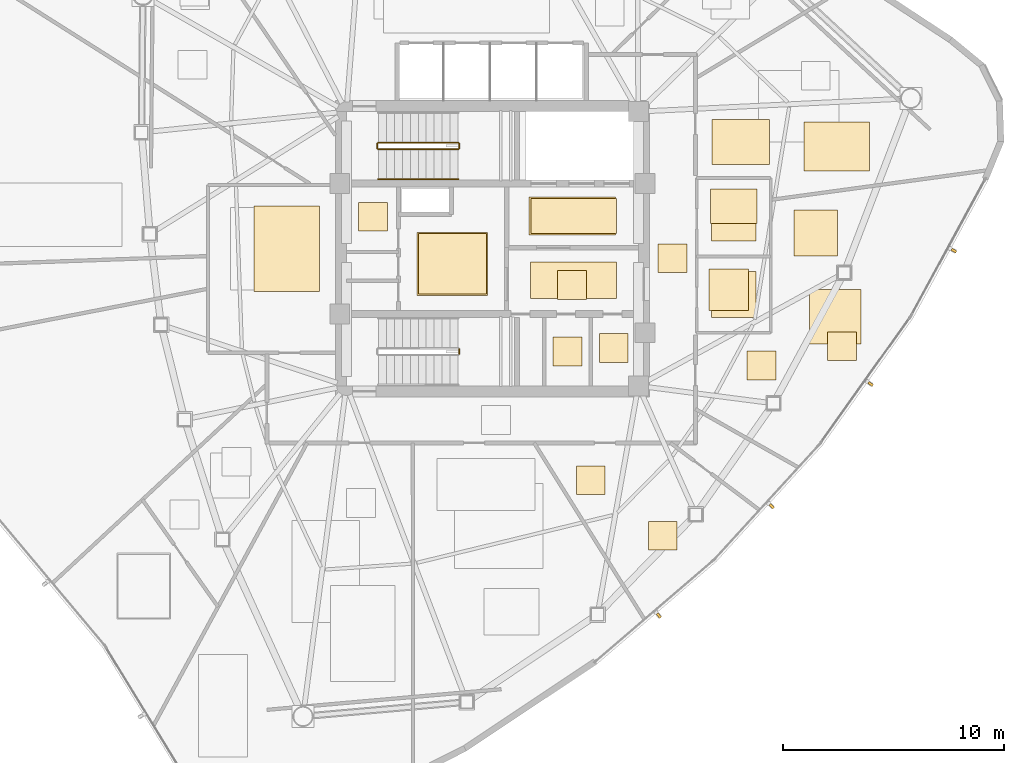
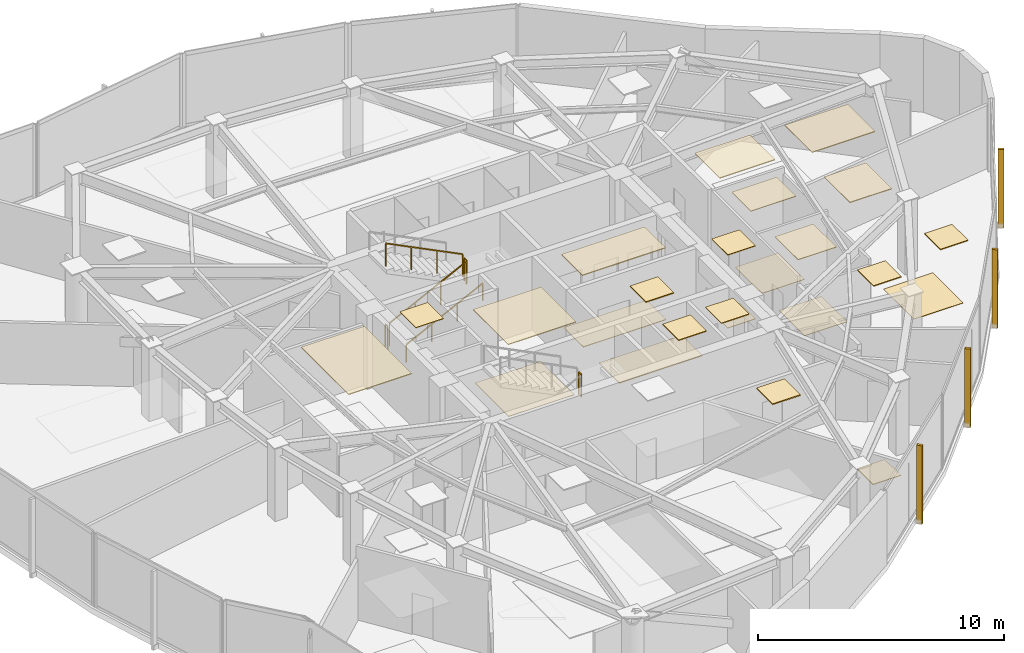
# One storey, part 12 of 13: 24 coverings, 6 railings, 4 shading devices.
"""IFC4 building model written with IfcOpenShell, lengths in metres."""

from ifc_helpers import new_model, si_unit, direction, frame, origin, origin_2d, place, context, subcontext, project, spatial, polyline, rectangle, outline, extrude, source, transform, mapped, material, layer, layer_set, type_object, type_shapes, element, save


model = new_model("IFC4")

# Units and contexts
model_context = context("Model", 3, precision=1e-05, world=origin(), true_north=direction((0.0, 1.0)))
body_context = subcontext(model_context, "Body", "Model", "MODEL_VIEW")
ifc_project = project(units=[si_unit("LENGTHUNIT", "METRE"), si_unit("AREAUNIT", "SQUARE_METRE"), si_unit("VOLUMEUNIT", "CUBIC_METRE"), si_unit("PLANEANGLEUNIT", "RADIAN"), si_unit("MASSUNIT", "GRAM", prefix="KILO")], contexts=[model_context])

# Site, building, storey
site_placement = place(None, origin())
site = spatial("IfcSite", under=ifc_project, at=site_placement, CompositionType="ELEMENT")
building_placement = place(site_placement, origin())
building = spatial("IfcBuilding", under=site, at=building_placement, Name="Tavelor Broadcast Tower", CompositionType="ELEMENT")
storey_placement = place(building_placement, frame((0.0, 0.0, 226.10009765625)))
storey = spatial("IfcBuildingStorey", under=building, at=storey_placement, Name="L53", CompositionType="ELEMENT", Elevation=226.10009765625)

# Coverings
ifc_material_1 = material(Name="Copper-Bronze Anodized Aluminium", Category="aluminium")
ifc_layer_1 = layer(ifc_material_1, 0.044921875)
ifc_layer_set_1 = layer_set([ifc_layer_1], Name="Copper-Bronze Anodized Aluminium")
covering_type_1 = type_object("IfcCoveringType", Name="Anodised Bronze Linear Slatted Concourse Ceiling 45 mm", PredefinedType="CEILING", material=ifc_layer_set_1)
covering_1_placement = place(storey_placement, frame((0.0, 0.0, 3.60498046875)))
element("IfcCovering", 1, at=covering_1_placement, inside=storey, type_object=covering_type_1, Name="L53 Suspended Acoustic Ceiling 2097", PredefinedType="CEILING", context=body_context, shape_type="SweptSolid", body=[
    extrude(outline(polyline([(51.659912109375, 45.6318359375), (55.55712890625, 45.6318359375), (55.55712890625, 47.328125), (51.659912109375, 47.328125), (51.659912109375, 45.6318359375)])), origin(), (0.0, 0.0, 1.0), 0.044921875),
])
covering_2_placement = place(storey_placement, frame((0.0, 0.0, 3.60498046875)))
element("IfcCovering", 2, at=covering_2_placement, inside=storey, type_object=covering_type_1, Name="L53 Suspended Acoustic Ceiling 2098", PredefinedType="CEILING", context=body_context, shape_type="SweptSolid", body=[
    extrude(outline(polyline([(52.95361328125, 42.705078125), (54.25341796875, 42.705078125), (54.25341796875, 44.0048828125), (52.95361328125, 44.0048828125), (52.95361328125, 42.705078125)])), origin(), (0.0, 0.0, 1.0), 0.044921875),
])

# Railing
ifc_material_2 = material(Name="Steel S355", Category="steel")
railing_type_1 = type_object("IfcRailingType", Name="Continuous Brushed Stainless Handrail 900 mm", PredefinedType="HANDRAIL", material=ifc_material_2)
railing_1_placement = place(storey_placement, frame((44.85009765625, 48.14990234375, 0.179443359375)))
element("IfcRailing", 3, at=railing_1_placement, inside=storey, type_object=railing_type_1, Name="L53 ST1 stair handrail 1", PredefinedType="HANDRAIL", context=body_context, shape_type="SweptSolid", body=[
    extrude(rectangle(XDim=0.048095703125, YDim=0.048095703125, at=origin_2d()), frame((0.0, 0.0, 0.8759765625), z_axis=(0.894875846893, 0.0, 0.446315156192), x_axis=(0.0, 1.0, 0.0)), (0.0, 0.0, 1.0), 4.022705078125),
    extrude(rectangle(XDim=0.0419921875, YDim=0.0419921875, at=origin_2d()), origin(), (0.0, 0.0, 1.0), 0.851806640625),
    extrude(rectangle(XDim=0.0419921875, YDim=0.0419921875, at=origin_2d()), frame((1.199951171875, 0.0, 0.598388671875)), (0.0, 0.0, 1.0), 0.851806640625),
    extrude(rectangle(XDim=0.0419921875, YDim=0.0419921875, at=origin_2d()), frame((2.39990234375, 0.0, 1.197021484375)), (0.0, 0.0, 1.0), 0.851806640625),
    extrude(rectangle(XDim=0.0419921875, YDim=0.0419921875, at=origin_2d()), frame((3.599853515625, 0.0, 1.79541015625)), (0.0, 0.0, 1.0), 0.851806640625),
])

# Coverings
ifc_material_3 = material(Name="Architectural Anodized Aluminium", Category="aluminium")
ifc_layer_2 = layer(ifc_material_3, 0.034912109375)
ifc_layer_set_2 = layer_set([ifc_layer_2], Name="Architectural Anodized Aluminium")
covering_type_2 = type_object("IfcCoveringType", Name="Demountable Metal Tile Corridor Ceiling 35 mm", PredefinedType="CEILING", material=ifc_layer_set_2)
covering_3_placement = place(storey_placement, frame((0.0, 0.0, 3.614990234375)))
element("IfcCovering", 4, at=covering_3_placement, inside=storey, type_object=covering_type_2, Name="L53 Suspended Acoustic Ceiling 2103", PredefinedType="CEILING", context=body_context, shape_type="SweptSolid", body=[
    extrude(outline(polyline([(57.489990234375, 43.925048828125), (58.7900390625, 43.925048828125), (58.7900390625, 45.22509765625), (57.489990234375, 45.22509765625), (57.489990234375, 43.925048828125)])), origin(), (0.0, 0.0, 1.0), 0.034912109375),
])
ifc_material_4 = material(Name="Acoustic Nylon Carpet Tile")
ifc_layer_3 = layer(ifc_material_4, 0.02001953125)
ifc_layer_set_3 = layer_set([ifc_layer_3], Name="Acoustic Nylon Carpet Tile")
covering_type_3 = type_object("IfcCoveringType", Name="Heavy-Duty Acoustic Broadcast Carpet Tile 20 mm", PredefinedType="FLOORING", material=ifc_layer_set_3)
covering_4_placement = place(storey_placement, origin())
element("IfcCovering", 5, at=covering_4_placement, inside=storey, type_object=covering_type_3, Name="L53 Broadcast Floor Finish 0771", PredefinedType="FLOORING", context=body_context, shape_type="SweptSolid", body=[
    extrude(outline(polyline([(46.6591796875, 42.953369140625), (49.730712890625, 42.953369140625), (49.730712890625, 45.6865234375), (46.6591796875, 45.6865234375), (46.6591796875, 42.953369140625)])), origin(), (0.0, 0.0, 1.0), 0.02001953125),
])
covering_5_placement = place(storey_placement, origin())
element("IfcCovering", 6, at=covering_5_placement, inside=storey, type_object=covering_type_3, Name="L53 Broadcast Floor Finish 0772", PredefinedType="FLOORING", context=body_context, shape_type="SweptSolid", body=[
    extrude(outline(polyline([(57.489990234375, 43.925048828125), (58.7900390625, 43.925048828125), (58.7900390625, 45.22509765625), (57.489990234375, 45.22509765625), (57.489990234375, 43.925048828125)])), origin(), (0.0, 0.0, 1.0), 0.02001953125),
])
covering_6_placement = place(storey_placement, origin())
element("IfcCovering", 7, at=covering_6_placement, inside=storey, type_object=covering_type_3, Name="L53 Broadcast Floor Finish 0784", PredefinedType="FLOORING", context=body_context, shape_type="SweptSolid", body=[
    extrude(outline(polyline([(64.34228515625, 40.69140625), (66.66162109375, 40.69140625), (66.66162109375, 43.15380859375), (64.34228515625, 43.15380859375), (64.34228515625, 40.69140625)])), origin(), (0.0, 0.0, 1.0), 0.02001953125),
])
ifc_material_5 = material(Name="Honed Natural Limestone Tile", Category="masonry")
ifc_layer_4 = layer(ifc_material_5, 0.030029296875)
ifc_layer_set_4 = layer_set([ifc_layer_4], Name="Honed Natural Limestone Tile")
covering_type_4 = type_object("IfcCoveringType", Name="Honed Jerusalem Limestone Concourse Flooring 30 mm", PredefinedType="FLOORING", material=ifc_layer_set_4)
covering_7_placement = place(storey_placement, origin())
element("IfcCovering", 8, at=covering_7_placement, inside=storey, type_object=covering_type_4, Name="L53 Broadcast Floor Finish 0769", PredefinedType="FLOORING", context=body_context, shape_type="SweptSolid", body=[
    extrude(outline(polyline([(51.7373046875, 45.689453125), (55.62255859375, 45.689453125), (55.62255859375, 47.2705078125), (51.7373046875, 47.2705078125), (51.7373046875, 45.689453125)])), origin(), (0.0, 0.0, 1.0), 0.02978515625),
])
covering_8_placement = place(storey_placement, origin())
element("IfcCovering", 9, at=covering_8_placement, inside=storey, type_object=covering_type_4, Name="L53 Broadcast Floor Finish 0770", PredefinedType="FLOORING", context=body_context, shape_type="SweptSolid", body=[
    extrude(outline(polyline([(51.728759765625, 42.743408203125), (55.62109375, 42.743408203125), (55.62109375, 44.396484375), (51.728759765625, 44.396484375), (51.728759765625, 42.743408203125)])), origin(), (0.0, 0.0, 1.0), 0.02978515625),
])
ifc_material_6 = material(Name="Acoustic Hardwood Studio Flooring", Category="wood")
ifc_layer_5 = layer(ifc_material_6, 0.034912109375)
ifc_layer_set_5 = layer_set([ifc_layer_5], Name="Acoustic Hardwood Studio Flooring")
covering_type_5 = type_object("IfcCoveringType", Name="Isolated Studio Acoustic Elastomeric Floor Finish 35 mm", PredefinedType="FLOORING", material=ifc_layer_set_5)
covering_9_placement = place(storey_placement, origin())
element("IfcCovering", 10, at=covering_9_placement, inside=storey, type_object=covering_type_5, Name="L53 Broadcast Floor Finish 0776", PredefinedType="FLOORING", context=body_context, shape_type="SweptSolid", body=[
    extrude(outline(polyline([(57.051025390625, 31.37255859375), (58.35107421875, 31.37255859375), (58.35107421875, 32.672607421875), (57.051025390625, 32.672607421875), (57.051025390625, 31.37255859375)])), origin(), (0.0, 0.0, 1.0), 0.034912109375),
])
ifc_material_7 = material(Name="Acoustic Perforated Timber Baffle", Category="wood")
ifc_layer_6 = layer(ifc_material_7, 0.054931640625)
ifc_layer_set_6 = layer_set([ifc_layer_6], Name="Acoustic Perforated Timber Baffle")
covering_type_6 = type_object("IfcCoveringType", Name="Micro-Perforated Acoustic Baffle Studio Ceiling 55 mm", PredefinedType="CEILING", material=ifc_layer_set_6)
covering_10_placement = place(storey_placement, frame((0.0, 0.0, 3.594970703125)))
element("IfcCovering", 11, at=covering_10_placement, inside=storey, type_object=covering_type_6, Name="L53 Suspended Acoustic Ceiling 2108", PredefinedType="CEILING", context=body_context, shape_type="SweptSolid", body=[
    extrude(outline(polyline([(53.7958984375, 33.87744140625), (55.095947265625, 33.87744140625), (55.095947265625, 35.177490234375), (53.7958984375, 35.177490234375), (53.7958984375, 33.87744140625)])), origin(), (0.0, 0.0, 1.0), 0.054931640625),
])
ifc_layer_7 = layer(ifc_material_3, 0.030029296875)
ifc_layer_set_7 = layer_set([ifc_layer_7], Name="Architectural Anodized Aluminium")
covering_type_7 = type_object("IfcCoveringType", Name="Moisture-Resistant Washroom Ceiling 30 mm", PredefinedType="CEILING", material=ifc_layer_set_7)
covering_11_placement = place(storey_placement, frame((0.0, 0.0, 3.619873046875)))
element("IfcCovering", 12, at=covering_11_placement, inside=storey, type_object=covering_type_7, Name="L53 Suspended Acoustic Ceiling 2101", PredefinedType="CEILING", context=body_context, shape_type="SweptSolid", body=[
    extrude(outline(polyline([(54.843505859375, 39.866455078125), (56.1435546875, 39.866455078125), (56.1435546875, 41.16650390625), (54.843505859375, 41.16650390625), (54.843505859375, 39.866455078125)])), origin(), (0.0, 0.0, 1.0), 0.030029296875),
])
covering_12_placement = place(storey_placement, frame((0.0, 0.0, 3.619873046875)))
element("IfcCovering", 13, at=covering_12_placement, inside=storey, type_object=covering_type_7, Name="L53 Suspended Acoustic Ceiling 2102", PredefinedType="CEILING", context=body_context, shape_type="SweptSolid", body=[
    extrude(outline(polyline([(43.951416015625, 45.794921875), (45.25146484375, 45.794921875), (45.25146484375, 47.094970703125), (43.951416015625, 47.094970703125), (43.951416015625, 45.794921875)])), origin(), (0.0, 0.0, 1.0), 0.030029296875),
])
covering_13_placement = place(storey_placement, frame((0.0, 0.0, 3.619873046875)))
element("IfcCovering", 14, at=covering_13_placement, inside=storey, type_object=covering_type_7, Name="L53 Suspended Acoustic Ceiling 2106", PredefinedType="CEILING", context=body_context, shape_type="SweptSolid", body=[
    extrude(outline(polyline([(59.79150390625, 42.2001953125), (61.589599609375, 42.2001953125), (61.589599609375, 44.08203125), (59.79150390625, 44.08203125), (59.79150390625, 42.2001953125)])), origin(), (0.0, 0.0, 1.0), 0.030029296875),
])
covering_14_placement = place(storey_placement, frame((0.0, 0.0, 3.619873046875)))
element("IfcCovering", 15, at=covering_14_placement, inside=storey, type_object=covering_type_7, Name="L53 Suspended Acoustic Ceiling 2107", PredefinedType="CEILING", context=body_context, shape_type="SweptSolid", body=[
    extrude(outline(polyline([(59.85302734375, 46.13623046875), (61.967041015625, 46.13623046875), (61.967041015625, 47.69482421875), (59.85302734375, 47.69482421875), (59.85302734375, 46.13623046875)])), origin(), (0.0, 0.0, 1.0), 0.030029296875),
])
ifc_material_8 = material(Name="Slip-Resistant Porcelain Tile")
ifc_layer_8 = layer(ifc_material_8, 0.02490234375)
ifc_layer_set_8 = layer_set([ifc_layer_8], Name="Slip-Resistant Porcelain Tile")
covering_type_8 = type_object("IfcCoveringType", Name="Slip-Resistant Porcelain Wet-Area Floor Tile 25 mm", PredefinedType="FLOORING", material=ifc_layer_set_8)
covering_15_placement = place(storey_placement, origin())
element("IfcCovering", 16, at=covering_15_placement, inside=storey, type_object=covering_type_8, Name="L53 Broadcast Floor Finish 0774", PredefinedType="FLOORING", context=body_context, shape_type="SweptSolid", body=[
    extrude(outline(polyline([(59.91064453125, 41.885986328125), (61.909423828125, 41.885986328125), (61.909423828125, 43.964111328125), (59.91064453125, 43.964111328125), (59.91064453125, 41.885986328125)])), origin(), (0.0, 0.0, 1.0), 0.02490234375),
])
covering_16_placement = place(storey_placement, origin())
element("IfcCovering", 17, at=covering_16_placement, inside=storey, type_object=covering_type_8, Name="L53 Broadcast Floor Finish 0775", PredefinedType="FLOORING", context=body_context, shape_type="SweptSolid", body=[
    extrude(outline(polyline([(59.91064453125, 45.35009765625), (61.909423828125, 45.35009765625), (61.909423828125, 47.5), (59.91064453125, 47.5), (59.91064453125, 45.35009765625)])), origin(), (0.0, 0.0, 1.0), 0.02490234375),
])

# Railings
railing_type_2 = type_object("IfcRailingType", Name="Stairwell Steel Safety Guardrail 1150 mm", PredefinedType="GUARDRAIL", material=ifc_material_2)
railing_2_placement = place(storey_placement, frame((44.85009765625, 49.5, 0.179443359375)))
element("IfcRailing", 18, at=railing_2_placement, inside=storey, type_object=railing_type_2, Name="L53 ST1 stair guard 1", PredefinedType="GUARDRAIL", context=body_context, shape_type="SweptSolid", body=[
    extrude(rectangle(XDim=0.048095703125, YDim=0.048095703125, at=origin_2d()), frame((0.0, 0.0, 1.1259765625), z_axis=(0.894875846893, 0.0, 0.446315156192), x_axis=(0.0, 1.0, 0.0)), (0.0, 0.0, 1.0), 4.022705078125),
    extrude(rectangle(XDim=0.0419921875, YDim=0.0419921875, at=origin_2d()), origin(), (0.0, 0.0, 1.0), 1.101806640625),
    extrude(rectangle(XDim=0.0419921875, YDim=0.0419921875, at=origin_2d()), frame((1.199951171875, 0.0, 0.598388671875)), (0.0, 0.0, 1.0), 1.101806640625),
    extrude(rectangle(XDim=0.0419921875, YDim=0.0419921875, at=origin_2d()), frame((2.39990234375, 0.0, 1.197021484375)), (0.0, 0.0, 1.0), 1.101806640625),
    extrude(rectangle(XDim=0.0419921875, YDim=0.0419921875, at=origin_2d()), frame((3.599853515625, 0.0, 1.79541015625)), (0.0, 0.0, 1.0), 1.101806640625),
])
railing_3_placement = place(storey_placement, frame((48.5, 49.550048828125, 1.974853515625)))
element("IfcRailing", 19, at=railing_3_placement, inside=storey, type_object=railing_type_2, Name="L53 ST1 stair guard 2", PredefinedType="GUARDRAIL", context=body_context, shape_type="SweptSolid", body=[
    extrude(rectangle(XDim=0.048095703125, YDim=0.048095703125, at=origin_2d()), frame((0.0, 0.0, 1.1259765625), z_axis=(0.0, 1.0, 0.0), x_axis=(-1.0, 0.0, 0.0)), (0.0, 0.0, 1.0), 0.199951171875),
    extrude(rectangle(XDim=0.0419921875, YDim=0.0419921875, at=origin_2d()), origin(), (0.0, 0.0, 1.0), 1.101806640625),
    extrude(rectangle(XDim=0.0419921875, YDim=0.0419921875, at=origin_2d()), frame((0.0, 0.199951171875, 0.0)), (0.0, 0.0, 1.0), 1.101806640625),
])
railing_4_placement = place(storey_placement, frame((48.449951171875, 49.800048828125, 2.154541015625)))
element("IfcRailing", 20, at=railing_4_placement, inside=storey, type_object=railing_type_2, Name="L53 ST1 stair guard 3", PredefinedType="GUARDRAIL", context=body_context, shape_type="SweptSolid", body=[
    extrude(rectangle(XDim=0.048095703125, YDim=0.048095703125, at=origin_2d()), frame((0.0, 0.0, 1.1259765625), z_axis=(-0.894875846893, 0.0, 0.446315156192), x_axis=(0.0, -1.0, 0.0)), (0.0, 0.0, 1.0), 4.022705078125),
    extrude(rectangle(XDim=0.0419921875, YDim=0.0419921875, at=origin_2d()), origin(), (0.0, 0.0, 1.0), 1.101806640625),
    extrude(rectangle(XDim=0.0419921875, YDim=0.0419921875, at=origin_2d()), frame((-1.199951171875, 0.0, 0.598388671875)), (0.0, 0.0, 1.0), 1.101806640625),
    extrude(rectangle(XDim=0.0419921875, YDim=0.0419921875, at=origin_2d()), frame((-2.39990234375, 0.0, 1.197021484375)), (0.0, 0.0, 1.0), 1.101806640625),
    extrude(rectangle(XDim=0.0419921875, YDim=0.0419921875, at=origin_2d()), frame((-3.599853515625, 0.0, 1.79541015625)), (0.0, 0.0, 1.0), 1.101806640625),
])
for number, where, name in (
    (21, (44.800048828125, 49.550048828125, 0.0), "L53 ST1 stair guard 4"),
    (22, (48.5, 40.25, 1.974853515625), "L53 ST2 stair guard 2"),
):
    element("IfcRailing", number, at=place(storey_placement, frame(where)), inside=storey, type_object=railing_type_2, Name=name, PredefinedType="GUARDRAIL", context=body_context, shape_type="SweptSolid", body=[
        extrude(rectangle(XDim=0.048095703125, YDim=0.048095703125, at=origin_2d()), frame((0.0, 0.0, 1.1259765625), z_axis=(0.0, 1.0, 0.0), x_axis=(-1.0, 0.0, 0.0)), (0.0, 0.0, 1.0), 0.199951171875),
        extrude(rectangle(XDim=0.0419921875, YDim=0.0419921875, at=origin_2d()), origin(), (0.0, 0.0, 1.0), 1.101806640625),
        extrude(rectangle(XDim=0.0419921875, YDim=0.0419921875, at=origin_2d()), frame((0.0, 0.199951171875, 0.0)), (0.0, 0.0, 1.0), 1.101806640625),
    ])

# Coverings
ifc_material_9 = material(Name="Acoustic Mineral Fibre Tile")
ifc_layer_9 = layer(ifc_material_9, 0.0400390625)
ifc_layer_set_9 = layer_set([ifc_layer_9], Name="Acoustic Mineral Fibre Tile")
covering_type_9 = type_object("IfcCoveringType", Name="Suspended Acoustic Mineral-Fibre Office Ceiling 40 mm", PredefinedType="CEILING", material=ifc_layer_set_9)
covering_17_placement = place(storey_placement, frame((0.0, 0.0, 3.60986328125)))
element("IfcCovering", 23, at=covering_17_placement, inside=storey, type_object=covering_type_9, Name="L53 Suspended Acoustic Ceiling 2099", PredefinedType="CEILING", context=body_context, shape_type="SweptSolid", body=[
    extrude(outline(polyline([(46.6015625, 42.895751953125), (49.788330078125, 42.895751953125), (49.788330078125, 45.744140625), (46.6015625, 45.744140625), (46.6015625, 42.895751953125)])), origin(), (0.0, 0.0, 1.0), 0.0400390625),
])
covering_18_placement = place(storey_placement, frame((0.0, 0.0, 3.60986328125)))
element("IfcCovering", 24, at=covering_18_placement, inside=storey, type_object=covering_type_9, Name="L53 Suspended Acoustic Ceiling 2100", PredefinedType="CEILING", context=body_context, shape_type="SweptSolid", body=[
    extrude(outline(polyline([(52.75, 39.699951171875), (54.050048828125, 39.699951171875), (54.050048828125, 41.0), (52.75, 41.0), (52.75, 39.699951171875)])), origin(), (0.0, 0.0, 1.0), 0.0400390625),
])
covering_19_placement = place(storey_placement, frame((0.0, 0.0, 3.60986328125)))
element("IfcCovering", 25, at=covering_19_placement, inside=storey, type_object=covering_type_9, Name="L53 Suspended Acoustic Ceiling 2105", PredefinedType="CEILING", context=body_context, shape_type="SweptSolid", body=[
    extrude(outline(polyline([(39.2216796875, 43.0712890625), (42.182373046875, 43.0712890625), (42.182373046875, 46.927978515625), (39.2216796875, 46.927978515625), (39.2216796875, 43.0712890625)])), origin(), (0.0, 0.0, 1.0), 0.0400390625),
])
covering_20_placement = place(storey_placement, frame((0.0, 0.0, 3.60986328125)))
element("IfcCovering", 26, at=covering_20_placement, inside=storey, type_object=covering_type_9, Name="L53 Suspended Acoustic Ceiling 2126", PredefinedType="CEILING", context=body_context, shape_type="SweptSolid", body=[
    extrude(outline(polyline([(64.084716796875, 48.504150390625), (67.043701171875, 48.504150390625), (67.043701171875, 50.724609375), (64.084716796875, 50.724609375), (64.084716796875, 48.504150390625)])), origin(), (0.0, 0.0, 1.0), 0.0400390625),
])
covering_21_placement = place(storey_placement, frame((0.0, 0.0, 3.60986328125)))
element("IfcCovering", 27, at=covering_21_placement, inside=storey, type_object=covering_type_9, Name="L53 Suspended Acoustic Ceiling 2127", PredefinedType="CEILING", context=body_context, shape_type="SweptSolid", body=[
    extrude(outline(polyline([(59.93115234375, 48.80712890625), (62.5234375, 48.80712890625), (62.5234375, 50.831787109375), (59.93115234375, 50.831787109375), (59.93115234375, 48.80712890625)])), origin(), (0.0, 0.0, 1.0), 0.0400390625),
])
covering_22_placement = place(storey_placement, frame((0.0, 0.0, 3.60986328125)))
element("IfcCovering", 28, at=covering_22_placement, inside=storey, type_object=covering_type_9, Name="L53 Suspended Acoustic Ceiling 2128", PredefinedType="CEILING", context=body_context, shape_type="SweptSolid", body=[
    extrude(outline(polyline([(61.518798828125, 39.069580078125), (62.81884765625, 39.069580078125), (62.81884765625, 40.369384765625), (61.518798828125, 40.369384765625), (61.518798828125, 39.069580078125)])), origin(), (0.0, 0.0, 1.0), 0.0400390625),
])
covering_23_placement = place(storey_placement, frame((0.0, 0.0, 3.60986328125)))
element("IfcCovering", 29, at=covering_23_placement, inside=storey, type_object=covering_type_9, Name="L53 Suspended Acoustic Ceiling 2129", PredefinedType="CEILING", context=body_context, shape_type="SweptSolid", body=[
    extrude(outline(polyline([(63.638427734375, 44.660888671875), (65.60205078125, 44.660888671875), (65.60205078125, 46.759521484375), (63.638427734375, 46.759521484375), (63.638427734375, 44.660888671875)])), origin(), (0.0, 0.0, 1.0), 0.0400390625),
])
covering_24_placement = place(storey_placement, frame((0.0, 0.0, 3.60986328125)))
element("IfcCovering", 30, at=covering_24_placement, inside=storey, type_object=covering_type_9, Name="L53 Suspended Acoustic Ceiling 2130", PredefinedType="CEILING", context=body_context, shape_type="SweptSolid", body=[
    extrude(outline(polyline([(65.16015625, 39.94580078125), (66.460205078125, 39.94580078125), (66.460205078125, 41.24560546875), (65.16015625, 41.24560546875), (65.16015625, 39.94580078125)])), origin(), (0.0, 0.0, 1.0), 0.0400390625),
])

# Shading devices
ifc_material_10 = material(Name="Kiln-Fired Glazed Terracotta", Category="masonry")
shading_device_type = type_object("IfcShadingDeviceType", Name="Extruded Terracotta Baguette Sun-Screen 110x240", PredefinedType="JALOUSIE", material=ifc_material_10)
shared_shape = source(origin(), body_context, "Body", "SweptSolid", [
    extrude(rectangle(XDim=0.110107421875, YDim=0.239990234375, at=origin_2d()), origin(), (0.0, 0.0, 1.0), 3.889892578125),
])
type_shapes(shading_device_type, [shared_shape])
for number, where, z_axis, x_axis, name in (
    (31, (57.528564453125, 28.4091796875, -0.26025390625), (0.0, 0.0, 1.0), (0.759044098026, 0.651039213298, 0.0), "L53 Terracotta Baguette Fin 545"),
    (32, (62.63330078125, 33.35595703125, -0.26025390625), (0.0, 0.0, 1.0), (0.674560116039, 0.738219919705, 0.0), "L53 Terracotta Baguette Fin 546"),
    (33, (67.101806640625, 38.8837890625, -0.26025390625), (0.0, 0.0, 1.0), (0.58027660624, 0.814419462102, 0.0), "L53 Terracotta Baguette Fin 547"),
    (34, (70.868408203125, 44.912109375, -0.26025390625), (0.0, 0.0, 1.0), (0.477465496226, 0.878650499296, 0.0), "L53 Terracotta Baguette Fin 548"),
):
    element("IfcShadingDevice", number, at=place(storey_placement, frame(where, z_axis=z_axis, x_axis=x_axis)), inside=storey, type_object=shading_device_type, Name=name, PredefinedType="JALOUSIE", context=body_context, shape_type="MappedRepresentation", body=[
        mapped(shared_shape, transform((0.0, 0.0, 0.0), scale=1.0)),
    ])

save(model, "model.ifc")
